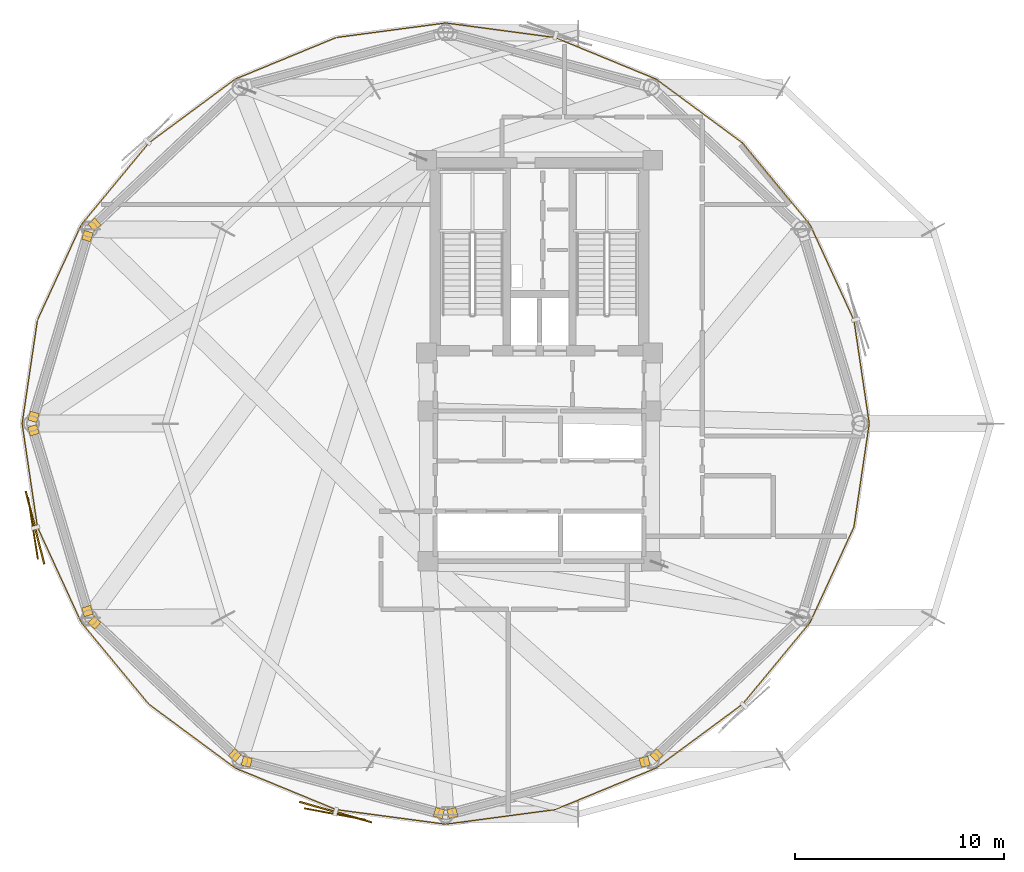
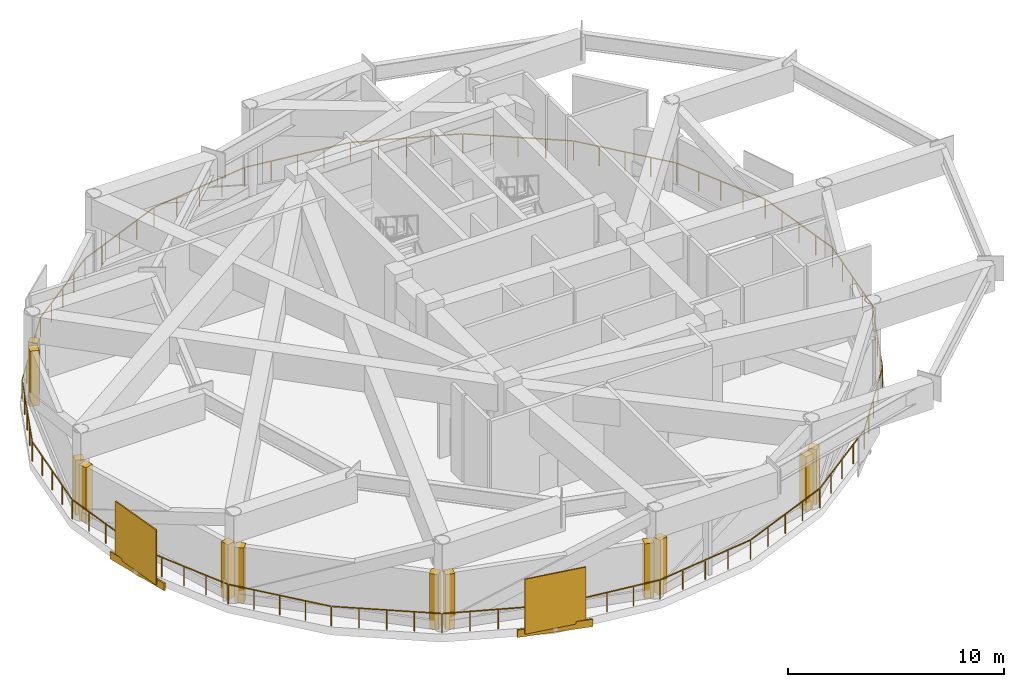
# One storey, part 6 of 8: 14 coverings, 2 shading devices, 1 railing.
"""IFC4 building model written with IfcOpenShell, lengths in metres."""

from ifc_helpers import new_model, si_unit, direction, frame, origin, origin_2d, place, context, subcontext, project, spatial, rectangle, extrude, source, transform, mapped, material, layer, layer_set, type_object, type_shapes, element, save


model = new_model("IFC4")

# Units and contexts
model_context = context("Model", 3, precision=1e-05, world=origin(), true_north=direction((0.0, 1.0)))
body_context = subcontext(model_context, "Body", "Model", "MODEL_VIEW")
ifc_project = project(units=[si_unit("LENGTHUNIT", "METRE"), si_unit("AREAUNIT", "SQUARE_METRE"), si_unit("VOLUMEUNIT", "CUBIC_METRE"), si_unit("PLANEANGLEUNIT", "RADIAN"), si_unit("MASSUNIT", "GRAM", prefix="KILO")], contexts=[model_context])

# Site, building, storey
site_placement = place(None, origin())
site = spatial("IfcSite", under=ifc_project, at=site_placement, CompositionType="ELEMENT")
building_placement = place(site_placement, origin())
building = spatial("IfcBuilding", under=site, at=building_placement, Name="Varnakorn Sky Granary", CompositionType="ELEMENT")
storey_placement = place(building_placement, frame((0.0, 0.0, 173.39990234375)))
storey = spatial("IfcBuildingStorey", under=building, at=storey_placement, Name="L43", CompositionType="ELEMENT", Elevation=173.39990234375)

# Railing
ifc_material = material(Name="Anodised Bronze Aluminium Alloy 6063-T6", Category="aluminium")
railing_type = type_object("IfcRailingType", Name="RL-BAL-1120", PredefinedType="BALUSTRADE", material=ifc_material)
railing_placement = place(storey_placement, frame((18.798828125, 0.0, 0.0)))
element("IfcRailing", 1, at=railing_placement, inside=storey, type_object=railing_type, Name="Perimeter Slab-Edge Safety Guard L43", PredefinedType="BALUSTRADE", context=body_context, shape_type="SweptSolid", body=[
    extrude(rectangle(XDim=0.048095703125, YDim=0.048095703125, at=origin_2d()), frame((-0.004150390625, -0.027587890625, 1.09619140625), z_axis=(-0.146564559182, -0.98920110695, 0.0), x_axis=(0.98920110695, -0.146564559182, 0.0)), (0.0, 0.0, 1.0), 4.952880859375),
    extrude(rectangle(XDim=0.048095703125, YDim=0.048095703125, at=origin_2d()), frame((-0.745849609375, -4.980224609375, 1.09619140625), z_axis=(-0.417260925919, -0.908786729492, 0.0), x_axis=(0.908786729492, -0.417260925919, 0.0)), (0.0, 0.0, 1.0), 4.97705078125),
    extrude(rectangle(XDim=0.048095703125, YDim=0.048095703125, at=origin_2d()), frame((-2.85205078125, -9.55029296875, 1.09619140625), z_axis=(-0.636823090617, -0.771009955355, 0.0), x_axis=(0.771009955355, -0.636823090617, 0.0)), (0.0, 0.0, 1.0), 5.025634765625),
    extrude(rectangle(XDim=0.048095703125, YDim=0.048095703125, at=origin_2d()), frame((-6.0927734375, -13.46337890625, 1.09619140625), z_axis=(-0.804299175353, -0.594224567421, 0.0), x_axis=(0.594224567421, -0.804299175353, 0.0)), (0.0, 0.0, 1.0), 5.09814453125),
    extrude(rectangle(XDim=0.048095703125, YDim=0.048095703125, at=origin_2d()), frame((-10.24169921875, -16.520263671875, 1.09619140625), z_axis=(-0.924767902063, -0.380531637731, 0.0), x_axis=(0.380531637731, -0.924767902063, 0.0)), (0.0, 0.0, 1.0), 5.1787109375),
    extrude(rectangle(XDim=0.048095703125, YDim=0.048095703125, at=origin_2d()), frame((-15.08447265625, -18.505126953125, 1.09619140625), z_axis=(-0.991257711405, -0.13193994687, 0.0), x_axis=(0.13193994687, -0.991257711405, 0.0)), (0.0, 0.0, 1.0), 5.232421875),
    extrude(rectangle(XDim=0.048095703125, YDim=0.048095703125, at=origin_2d()), frame((-20.32666015625, -19.195556640625, 1.09619140625), z_axis=(-0.991257711405, 0.13193994687, 0.0), x_axis=(-0.13193994687, -0.991257711405, 0.0)), (0.0, 0.0, 1.0), 5.232421875),
    extrude(rectangle(XDim=0.048095703125, YDim=0.048095703125, at=origin_2d()), frame((-25.56689453125, -18.49072265625, 1.09619140625), z_axis=(-0.924767902063, 0.380531637731, 0.0), x_axis=(-0.380531637731, -0.924767902063, 0.0)), (0.0, 0.0, 1.0), 5.1787109375),
    extrude(rectangle(XDim=0.048095703125, YDim=0.048095703125, at=origin_2d()), frame((-30.404296875, -16.492919921875, 1.09619140625), z_axis=(-0.804299175353, 0.594224567421, 0.0), x_axis=(-0.594224567421, -0.804299175353, 0.0)), (0.0, 0.0, 1.0), 5.09814453125),
    extrude(rectangle(XDim=0.048095703125, YDim=0.048095703125, at=origin_2d()), frame((-34.545166015625, -13.42529296875, 1.09619140625), z_axis=(-0.636823090617, 0.771009955355, 0.0), x_axis=(-0.771009955355, -0.636823090617, 0.0)), (0.0, 0.0, 1.0), 5.025634765625),
    extrude(rectangle(XDim=0.048095703125, YDim=0.048095703125, at=origin_2d()), frame((-37.775146484375, -9.50341796875, 1.09619140625), z_axis=(-0.417260925919, 0.908786729492, 0.0), x_axis=(-0.908786729492, -0.417260925919, 0.0)), (0.0, 0.0, 1.0), 4.97705078125),
    extrude(rectangle(XDim=0.048095703125, YDim=0.048095703125, at=origin_2d()), frame((-39.86767578125, -4.92724609375, 1.09619140625), z_axis=(-0.146564559182, 0.98920110695, 0.0), x_axis=(-0.98920110695, -0.146564559182, 0.0)), (0.0, 0.0, 1.0), 4.952880859375),
    extrude(rectangle(XDim=0.048095703125, YDim=0.048095703125, at=origin_2d()), frame((-40.593505859375, 0.027587890625, 1.09619140625), z_axis=(0.146564559182, 0.98920110695, 0.0), x_axis=(-0.98920110695, 0.146564559182, 0.0)), (0.0, 0.0, 1.0), 4.952880859375),
    extrude(rectangle(XDim=0.048095703125, YDim=0.048095703125, at=origin_2d()), frame((-39.851806640625, 4.980224609375, 1.09619140625), z_axis=(0.417260925919, 0.908786729492, 0.0), x_axis=(-0.908786729492, 0.417260925919, 0.0)), (0.0, 0.0, 1.0), 4.97705078125),
    extrude(rectangle(XDim=0.048095703125, YDim=0.048095703125, at=origin_2d()), frame((-37.74560546875, 9.55029296875, 1.09619140625), z_axis=(0.636823090617, 0.771009955355, 0.0), x_axis=(-0.771009955355, 0.636823090617, 0.0)), (0.0, 0.0, 1.0), 5.025634765625),
    extrude(rectangle(XDim=0.048095703125, YDim=0.048095703125, at=origin_2d()), frame((-34.5048828125, 13.46337890625, 1.09619140625), z_axis=(0.804299175353, 0.594224567421, 0.0), x_axis=(-0.594224567421, 0.804299175353, 0.0)), (0.0, 0.0, 1.0), 5.09814453125),
    extrude(rectangle(XDim=0.048095703125, YDim=0.048095703125, at=origin_2d()), frame((-30.35595703125, 16.520263671875, 1.09619140625), z_axis=(0.924767902063, 0.380531637731, 0.0), x_axis=(-0.380531637731, 0.924767902063, 0.0)), (0.0, 0.0, 1.0), 5.1787109375),
    extrude(rectangle(XDim=0.048095703125, YDim=0.048095703125, at=origin_2d()), frame((-25.51318359375, 18.505126953125, 1.09619140625), z_axis=(0.991257711405, 0.13193994687, 0.0), x_axis=(-0.13193994687, 0.991257711405, 0.0)), (0.0, 0.0, 1.0), 5.232421875),
    extrude(rectangle(XDim=0.048095703125, YDim=0.048095703125, at=origin_2d()), frame((-20.27099609375, 19.195556640625, 1.09619140625), z_axis=(0.991257711405, -0.13193994687, 0.0), x_axis=(0.13193994687, 0.991257711405, 0.0)), (0.0, 0.0, 1.0), 5.232421875),
    extrude(rectangle(XDim=0.048095703125, YDim=0.048095703125, at=origin_2d()), frame((-15.03076171875, 18.49072265625, 1.09619140625), z_axis=(0.924767902063, -0.380531637731, 0.0), x_axis=(0.380531637731, 0.924767902063, 0.0)), (0.0, 0.0, 1.0), 5.1787109375),
    extrude(rectangle(XDim=0.048095703125, YDim=0.048095703125, at=origin_2d()), frame((-10.193359375, 16.492919921875, 1.09619140625), z_axis=(0.804299175353, -0.594224567421, 0.0), x_axis=(0.594224567421, 0.804299175353, 0.0)), (0.0, 0.0, 1.0), 5.09814453125),
    extrude(rectangle(XDim=0.048095703125, YDim=0.048095703125, at=origin_2d()), frame((-6.052490234375, 13.42529296875, 1.09619140625), z_axis=(0.636823090617, -0.771009955355, 0.0), x_axis=(0.771009955355, 0.636823090617, 0.0)), (0.0, 0.0, 1.0), 5.025634765625),
    extrude(rectangle(XDim=0.048095703125, YDim=0.048095703125, at=origin_2d()), frame((-2.822509765625, 9.50341796875, 1.09619140625), z_axis=(0.417260925919, -0.908786729492, 0.0), x_axis=(0.908786729492, 0.417260925919, 0.0)), (0.0, 0.0, 1.0), 4.97705078125),
    extrude(rectangle(XDim=0.048095703125, YDim=0.048095703125, at=origin_2d()), frame((-0.72998046875, 4.92724609375, 1.09619140625), z_axis=(0.146564559182, -0.98920110695, 0.0), x_axis=(0.98920110695, 0.146564559182, 0.0)), (0.0, 0.0, 1.0), 4.952880859375),
    extrude(rectangle(XDim=0.0419921875, YDim=0.0419921875, at=origin_2d()), origin(), (0.0, 0.0, 1.0), 1.068115234375),
    extrude(rectangle(XDim=0.0419921875, YDim=0.0419921875, at=origin_2d()), frame((-0.18359375, -1.23876953125, 0.0)), (0.0, 0.0, 1.0), 1.068115234375),
    extrude(rectangle(XDim=0.0419921875, YDim=0.0419921875, at=origin_2d()), frame((-0.3671875, -2.4775390625, 0.0)), (0.0, 0.0, 1.0), 1.068115234375),
    extrude(rectangle(XDim=0.0419921875, YDim=0.0419921875, at=origin_2d()), frame((-0.550537109375, -3.716064453125, 0.0)), (0.0, 0.0, 1.0), 1.068115234375),
    extrude(rectangle(XDim=0.0419921875, YDim=0.0419921875, at=origin_2d()), frame((-0.734130859375, -4.954833984375, 0.0)), (0.0, 0.0, 1.0), 1.068115234375),
    extrude(rectangle(XDim=0.0419921875, YDim=0.0419921875, at=origin_2d()), frame((-1.25927734375, -6.098388671875, 0.0)), (0.0, 0.0, 1.0), 1.068115234375),
    extrude(rectangle(XDim=0.0419921875, YDim=0.0419921875, at=origin_2d()), frame((-1.7841796875, -7.24169921875, 0.0)), (0.0, 0.0, 1.0), 1.068115234375),
    extrude(rectangle(XDim=0.0419921875, YDim=0.0419921875, at=origin_2d()), frame((-2.30908203125, -8.38525390625, 0.0)), (0.0, 0.0, 1.0), 1.068115234375),
    extrude(rectangle(XDim=0.0419921875, YDim=0.0419921875, at=origin_2d()), frame((-2.834228515625, -9.52880859375, 0.0)), (0.0, 0.0, 1.0), 1.068115234375),
    extrude(rectangle(XDim=0.0419921875, YDim=0.0419921875, at=origin_2d()), frame((-3.643310546875, -10.50830078125, 0.0)), (0.0, 0.0, 1.0), 1.068115234375),
    extrude(rectangle(XDim=0.0419921875, YDim=0.0419921875, at=origin_2d()), frame((-4.4521484375, -11.48779296875, 0.0)), (0.0, 0.0, 1.0), 1.068115234375),
    extrude(rectangle(XDim=0.0419921875, YDim=0.0419921875, at=origin_2d()), frame((-5.26123046875, -12.46728515625, 0.0)), (0.0, 0.0, 1.0), 1.068115234375),
    extrude(rectangle(XDim=0.0419921875, YDim=0.0419921875, at=origin_2d()), frame((-6.0703125, -13.44677734375, 0.0)), (0.0, 0.0, 1.0), 1.068115234375),
    extrude(rectangle(XDim=0.0419921875, YDim=0.0419921875, at=origin_2d()), frame((-7.106689453125, -14.21240234375, 0.0)), (0.0, 0.0, 1.0), 1.068115234375),
    extrude(rectangle(XDim=0.0419921875, YDim=0.0419921875, at=origin_2d()), frame((-8.14306640625, -14.97802734375, 0.0)), (0.0, 0.0, 1.0), 1.068115234375),
    extrude(rectangle(XDim=0.0419921875, YDim=0.0419921875, at=origin_2d()), frame((-9.179443359375, -15.743896484375, 0.0)), (0.0, 0.0, 1.0), 1.068115234375),
    extrude(rectangle(XDim=0.0419921875, YDim=0.0419921875, at=origin_2d()), frame((-10.2158203125, -16.509521484375, 0.0)), (0.0, 0.0, 1.0), 1.068115234375),
    extrude(rectangle(XDim=0.0419921875, YDim=0.0419921875, at=origin_2d()), frame((-11.426025390625, -17.007568359375, 0.0)), (0.0, 0.0, 1.0), 1.068115234375),
    extrude(rectangle(XDim=0.0419921875, YDim=0.0419921875, at=origin_2d()), frame((-12.63623046875, -17.50537109375, 0.0)), (0.0, 0.0, 1.0), 1.068115234375),
    extrude(rectangle(XDim=0.0419921875, YDim=0.0419921875, at=origin_2d()), frame((-13.846435546875, -18.00341796875, 0.0)), (0.0, 0.0, 1.0), 1.068115234375),
    extrude(rectangle(XDim=0.0419921875, YDim=0.0419921875, at=origin_2d()), frame((-15.056640625, -18.50146484375, 0.0)), (0.0, 0.0, 1.0), 1.068115234375),
    extrude(rectangle(XDim=0.0419921875, YDim=0.0419921875, at=origin_2d()), frame((-16.3671875, -18.67578125, 0.0)), (0.0, 0.0, 1.0), 1.068115234375),
    extrude(rectangle(XDim=0.0419921875, YDim=0.0419921875, at=origin_2d()), frame((-17.677734375, -18.850341796875, 0.0)), (0.0, 0.0, 1.0), 1.068115234375),
    extrude(rectangle(XDim=0.0419921875, YDim=0.0419921875, at=origin_2d()), frame((-18.98828125, -19.02490234375, 0.0)), (0.0, 0.0, 1.0), 1.068115234375),
    extrude(rectangle(XDim=0.0419921875, YDim=0.0419921875, at=origin_2d()), frame((-20.298828125, -19.19921875, 0.0)), (0.0, 0.0, 1.0), 1.068115234375),
    extrude(rectangle(XDim=0.0419921875, YDim=0.0419921875, at=origin_2d()), frame((-21.609375, -19.02490234375, 0.0)), (0.0, 0.0, 1.0), 1.068115234375),
    extrude(rectangle(XDim=0.0419921875, YDim=0.0419921875, at=origin_2d()), frame((-22.919921875, -18.850341796875, 0.0)), (0.0, 0.0, 1.0), 1.068115234375),
    extrude(rectangle(XDim=0.0419921875, YDim=0.0419921875, at=origin_2d()), frame((-24.23046875, -18.67578125, 0.0)), (0.0, 0.0, 1.0), 1.068115234375),
    extrude(rectangle(XDim=0.0419921875, YDim=0.0419921875, at=origin_2d()), frame((-25.541015625, -18.50146484375, 0.0)), (0.0, 0.0, 1.0), 1.068115234375),
    extrude(rectangle(XDim=0.0419921875, YDim=0.0419921875, at=origin_2d()), frame((-26.751220703125, -18.00341796875, 0.0)), (0.0, 0.0, 1.0), 1.068115234375),
    extrude(rectangle(XDim=0.0419921875, YDim=0.0419921875, at=origin_2d()), frame((-27.96142578125, -17.50537109375, 0.0)), (0.0, 0.0, 1.0), 1.068115234375),
    extrude(rectangle(XDim=0.0419921875, YDim=0.0419921875, at=origin_2d()), frame((-29.171630859375, -17.007568359375, 0.0)), (0.0, 0.0, 1.0), 1.068115234375),
    extrude(rectangle(XDim=0.0419921875, YDim=0.0419921875, at=origin_2d()), frame((-30.3818359375, -16.509521484375, 0.0)), (0.0, 0.0, 1.0), 1.068115234375),
    extrude(rectangle(XDim=0.0419921875, YDim=0.0419921875, at=origin_2d()), frame((-31.418212890625, -15.743896484375, 0.0)), (0.0, 0.0, 1.0), 1.068115234375),
    extrude(rectangle(XDim=0.0419921875, YDim=0.0419921875, at=origin_2d()), frame((-32.45458984375, -14.97802734375, 0.0)), (0.0, 0.0, 1.0), 1.068115234375),
    extrude(rectangle(XDim=0.0419921875, YDim=0.0419921875, at=origin_2d()), frame((-33.490966796875, -14.21240234375, 0.0)), (0.0, 0.0, 1.0), 1.068115234375),
    extrude(rectangle(XDim=0.0419921875, YDim=0.0419921875, at=origin_2d()), frame((-34.52734375, -13.44677734375, 0.0)), (0.0, 0.0, 1.0), 1.068115234375),
    extrude(rectangle(XDim=0.0419921875, YDim=0.0419921875, at=origin_2d()), frame((-35.33642578125, -12.46728515625, 0.0)), (0.0, 0.0, 1.0), 1.068115234375),
    extrude(rectangle(XDim=0.0419921875, YDim=0.0419921875, at=origin_2d()), frame((-36.1455078125, -11.48779296875, 0.0)), (0.0, 0.0, 1.0), 1.068115234375),
    extrude(rectangle(XDim=0.0419921875, YDim=0.0419921875, at=origin_2d()), frame((-36.954345703125, -10.50830078125, 0.0)), (0.0, 0.0, 1.0), 1.068115234375),
    extrude(rectangle(XDim=0.0419921875, YDim=0.0419921875, at=origin_2d()), frame((-37.763427734375, -9.52880859375, 0.0)), (0.0, 0.0, 1.0), 1.068115234375),
    extrude(rectangle(XDim=0.0419921875, YDim=0.0419921875, at=origin_2d()), frame((-38.28857421875, -8.38525390625, 0.0)), (0.0, 0.0, 1.0), 1.068115234375),
    extrude(rectangle(XDim=0.0419921875, YDim=0.0419921875, at=origin_2d()), frame((-38.8134765625, -7.24169921875, 0.0)), (0.0, 0.0, 1.0), 1.068115234375),
    extrude(rectangle(XDim=0.0419921875, YDim=0.0419921875, at=origin_2d()), frame((-39.33837890625, -6.098388671875, 0.0)), (0.0, 0.0, 1.0), 1.068115234375),
    extrude(rectangle(XDim=0.0419921875, YDim=0.0419921875, at=origin_2d()), frame((-39.863525390625, -4.954833984375, 0.0)), (0.0, 0.0, 1.0), 1.068115234375),
    extrude(rectangle(XDim=0.0419921875, YDim=0.0419921875, at=origin_2d()), frame((-40.047119140625, -3.716064453125, 0.0)), (0.0, 0.0, 1.0), 1.068115234375),
    extrude(rectangle(XDim=0.0419921875, YDim=0.0419921875, at=origin_2d()), frame((-40.23046875, -2.4775390625, 0.0)), (0.0, 0.0, 1.0), 1.068115234375),
    extrude(rectangle(XDim=0.0419921875, YDim=0.0419921875, at=origin_2d()), frame((-40.4140625, -1.23876953125, 0.0)), (0.0, 0.0, 1.0), 1.068115234375),
    extrude(rectangle(XDim=0.0419921875, YDim=0.0419921875, at=origin_2d()), frame((-40.59765625, 0.0, 0.0)), (0.0, 0.0, 1.0), 1.068115234375),
    extrude(rectangle(XDim=0.0419921875, YDim=0.0419921875, at=origin_2d()), frame((-40.4140625, 1.23876953125, 0.0)), (0.0, 0.0, 1.0), 1.068115234375),
    extrude(rectangle(XDim=0.0419921875, YDim=0.0419921875, at=origin_2d()), frame((-40.23046875, 2.4775390625, 0.0)), (0.0, 0.0, 1.0), 1.068115234375),
    extrude(rectangle(XDim=0.0419921875, YDim=0.0419921875, at=origin_2d()), frame((-40.047119140625, 3.716064453125, 0.0)), (0.0, 0.0, 1.0), 1.068115234375),
    extrude(rectangle(XDim=0.0419921875, YDim=0.0419921875, at=origin_2d()), frame((-39.863525390625, 4.954833984375, 0.0)), (0.0, 0.0, 1.0), 1.068115234375),
    extrude(rectangle(XDim=0.0419921875, YDim=0.0419921875, at=origin_2d()), frame((-39.33837890625, 6.098388671875, 0.0)), (0.0, 0.0, 1.0), 1.068115234375),
    extrude(rectangle(XDim=0.0419921875, YDim=0.0419921875, at=origin_2d()), frame((-38.8134765625, 7.24169921875, 0.0)), (0.0, 0.0, 1.0), 1.068115234375),
    extrude(rectangle(XDim=0.0419921875, YDim=0.0419921875, at=origin_2d()), frame((-38.28857421875, 8.38525390625, 0.0)), (0.0, 0.0, 1.0), 1.068115234375),
    extrude(rectangle(XDim=0.0419921875, YDim=0.0419921875, at=origin_2d()), frame((-37.763427734375, 9.52880859375, 0.0)), (0.0, 0.0, 1.0), 1.068115234375),
    extrude(rectangle(XDim=0.0419921875, YDim=0.0419921875, at=origin_2d()), frame((-36.954345703125, 10.50830078125, 0.0)), (0.0, 0.0, 1.0), 1.068115234375),
    extrude(rectangle(XDim=0.0419921875, YDim=0.0419921875, at=origin_2d()), frame((-36.1455078125, 11.48779296875, 0.0)), (0.0, 0.0, 1.0), 1.068115234375),
    extrude(rectangle(XDim=0.0419921875, YDim=0.0419921875, at=origin_2d()), frame((-35.33642578125, 12.46728515625, 0.0)), (0.0, 0.0, 1.0), 1.068115234375),
    extrude(rectangle(XDim=0.0419921875, YDim=0.0419921875, at=origin_2d()), frame((-34.52734375, 13.44677734375, 0.0)), (0.0, 0.0, 1.0), 1.068115234375),
    extrude(rectangle(XDim=0.0419921875, YDim=0.0419921875, at=origin_2d()), frame((-33.490966796875, 14.21240234375, 0.0)), (0.0, 0.0, 1.0), 1.068115234375),
    extrude(rectangle(XDim=0.0419921875, YDim=0.0419921875, at=origin_2d()), frame((-32.45458984375, 14.97802734375, 0.0)), (0.0, 0.0, 1.0), 1.068115234375),
    extrude(rectangle(XDim=0.0419921875, YDim=0.0419921875, at=origin_2d()), frame((-31.418212890625, 15.743896484375, 0.0)), (0.0, 0.0, 1.0), 1.068115234375),
    extrude(rectangle(XDim=0.0419921875, YDim=0.0419921875, at=origin_2d()), frame((-30.3818359375, 16.509521484375, 0.0)), (0.0, 0.0, 1.0), 1.068115234375),
    extrude(rectangle(XDim=0.0419921875, YDim=0.0419921875, at=origin_2d()), frame((-29.171630859375, 17.007568359375, 0.0)), (0.0, 0.0, 1.0), 1.068115234375),
    extrude(rectangle(XDim=0.0419921875, YDim=0.0419921875, at=origin_2d()), frame((-27.96142578125, 17.50537109375, 0.0)), (0.0, 0.0, 1.0), 1.068115234375),
    extrude(rectangle(XDim=0.0419921875, YDim=0.0419921875, at=origin_2d()), frame((-26.751220703125, 18.00341796875, 0.0)), (0.0, 0.0, 1.0), 1.068115234375),
    extrude(rectangle(XDim=0.0419921875, YDim=0.0419921875, at=origin_2d()), frame((-25.541015625, 18.50146484375, 0.0)), (0.0, 0.0, 1.0), 1.068115234375),
    extrude(rectangle(XDim=0.0419921875, YDim=0.0419921875, at=origin_2d()), frame((-24.23046875, 18.67578125, 0.0)), (0.0, 0.0, 1.0), 1.068115234375),
    extrude(rectangle(XDim=0.0419921875, YDim=0.0419921875, at=origin_2d()), frame((-22.919921875, 18.850341796875, 0.0)), (0.0, 0.0, 1.0), 1.068115234375),
    extrude(rectangle(XDim=0.0419921875, YDim=0.0419921875, at=origin_2d()), frame((-21.609375, 19.02490234375, 0.0)), (0.0, 0.0, 1.0), 1.068115234375),
    extrude(rectangle(XDim=0.0419921875, YDim=0.0419921875, at=origin_2d()), frame((-20.298828125, 19.19921875, 0.0)), (0.0, 0.0, 1.0), 1.068115234375),
    extrude(rectangle(XDim=0.0419921875, YDim=0.0419921875, at=origin_2d()), frame((-18.98828125, 19.02490234375, 0.0)), (0.0, 0.0, 1.0), 1.068115234375),
    extrude(rectangle(XDim=0.0419921875, YDim=0.0419921875, at=origin_2d()), frame((-17.677734375, 18.850341796875, 0.0)), (0.0, 0.0, 1.0), 1.068115234375),
    extrude(rectangle(XDim=0.0419921875, YDim=0.0419921875, at=origin_2d()), frame((-16.3671875, 18.67578125, 0.0)), (0.0, 0.0, 1.0), 1.068115234375),
    extrude(rectangle(XDim=0.0419921875, YDim=0.0419921875, at=origin_2d()), frame((-15.056640625, 18.50146484375, 0.0)), (0.0, 0.0, 1.0), 1.068115234375),
    extrude(rectangle(XDim=0.0419921875, YDim=0.0419921875, at=origin_2d()), frame((-13.846435546875, 18.00341796875, 0.0)), (0.0, 0.0, 1.0), 1.068115234375),
    extrude(rectangle(XDim=0.0419921875, YDim=0.0419921875, at=origin_2d()), frame((-12.63623046875, 17.50537109375, 0.0)), (0.0, 0.0, 1.0), 1.068115234375),
    extrude(rectangle(XDim=0.0419921875, YDim=0.0419921875, at=origin_2d()), frame((-11.426025390625, 17.007568359375, 0.0)), (0.0, 0.0, 1.0), 1.068115234375),
    extrude(rectangle(XDim=0.0419921875, YDim=0.0419921875, at=origin_2d()), frame((-10.2158203125, 16.509521484375, 0.0)), (0.0, 0.0, 1.0), 1.068115234375),
    extrude(rectangle(XDim=0.0419921875, YDim=0.0419921875, at=origin_2d()), frame((-9.179443359375, 15.743896484375, 0.0)), (0.0, 0.0, 1.0), 1.068115234375),
    extrude(rectangle(XDim=0.0419921875, YDim=0.0419921875, at=origin_2d()), frame((-8.14306640625, 14.97802734375, 0.0)), (0.0, 0.0, 1.0), 1.068115234375),
    extrude(rectangle(XDim=0.0419921875, YDim=0.0419921875, at=origin_2d()), frame((-7.106689453125, 14.21240234375, 0.0)), (0.0, 0.0, 1.0), 1.068115234375),
    extrude(rectangle(XDim=0.0419921875, YDim=0.0419921875, at=origin_2d()), frame((-6.0703125, 13.44677734375, 0.0)), (0.0, 0.0, 1.0), 1.068115234375),
    extrude(rectangle(XDim=0.0419921875, YDim=0.0419921875, at=origin_2d()), frame((-5.26123046875, 12.46728515625, 0.0)), (0.0, 0.0, 1.0), 1.068115234375),
    extrude(rectangle(XDim=0.0419921875, YDim=0.0419921875, at=origin_2d()), frame((-4.4521484375, 11.48779296875, 0.0)), (0.0, 0.0, 1.0), 1.068115234375),
    extrude(rectangle(XDim=0.0419921875, YDim=0.0419921875, at=origin_2d()), frame((-3.643310546875, 10.50830078125, 0.0)), (0.0, 0.0, 1.0), 1.068115234375),
    extrude(rectangle(XDim=0.0419921875, YDim=0.0419921875, at=origin_2d()), frame((-2.834228515625, 9.52880859375, 0.0)), (0.0, 0.0, 1.0), 1.068115234375),
    extrude(rectangle(XDim=0.0419921875, YDim=0.0419921875, at=origin_2d()), frame((-2.30908203125, 8.38525390625, 0.0)), (0.0, 0.0, 1.0), 1.068115234375),
    extrude(rectangle(XDim=0.0419921875, YDim=0.0419921875, at=origin_2d()), frame((-1.7841796875, 7.24169921875, 0.0)), (0.0, 0.0, 1.0), 1.068115234375),
    extrude(rectangle(XDim=0.0419921875, YDim=0.0419921875, at=origin_2d()), frame((-1.25927734375, 6.098388671875, 0.0)), (0.0, 0.0, 1.0), 1.068115234375),
    extrude(rectangle(XDim=0.0419921875, YDim=0.0419921875, at=origin_2d()), frame((-0.734130859375, 4.954833984375, 0.0)), (0.0, 0.0, 1.0), 1.068115234375),
    extrude(rectangle(XDim=0.0419921875, YDim=0.0419921875, at=origin_2d()), frame((-0.550537109375, 3.716064453125, 0.0)), (0.0, 0.0, 1.0), 1.068115234375),
    extrude(rectangle(XDim=0.0419921875, YDim=0.0419921875, at=origin_2d()), frame((-0.3671875, 2.4775390625, 0.0)), (0.0, 0.0, 1.0), 1.068115234375),
    extrude(rectangle(XDim=0.0419921875, YDim=0.0419921875, at=origin_2d()), frame((-0.18359375, 1.23876953125, 0.0)), (0.0, 0.0, 1.0), 1.068115234375),
])

# Coverings
ifc_layer = layer(ifc_material, 0.050048828125, Name="Anodised Bronze Aluminium Alloy 6063-T6")
ifc_layer_set = layer_set([ifc_layer], Name="Anodised Bronze Aluminium Alloy 6063-T6")
covering_type = type_object("IfcCoveringType", Name="CV-CLAD-50", PredefinedType="CLADDING", material=ifc_layer_set)
shared_shape_1 = source(origin(), body_context, "Body", "SweptSolid", [
    extrude(rectangle(XDim=3.60009765625, YDim=0.080078125, at=origin_2d()), origin(), (0.0, 0.0, 1.0), 0.419921875),
])
for number, where, z_axis, x_axis, name in (
    (2, (-21.18115234375, -4.98681640625, -0.329833984375), (0.0, 0.0, 1.0), (0.245620978801, -0.969365944715, 0.0), "Bronze Slab-Edge Spandrel Cladding L43-07"),
    (3, (-6.775390625, -18.61767578125, -0.329833984375), (0.0, 0.0, 1.0), (0.962121947709, -0.272619437563, 0.0), "Bronze Slab-Edge Spandrel Cladding L43-09"),
):
    element("IfcCovering", number, at=place(storey_placement, frame(where, z_axis=z_axis, x_axis=x_axis)), inside=storey, type_object=covering_type, Name=name, PredefinedType="CLADDING", context=body_context, shape_type="MappedRepresentation", body=[
        mapped(shared_shape_1, transform((0.0, 0.0, 0.0), x_axis=(1.0, 0.0, 0.0), y_axis=(0.0, 1.0, 0.0), z_axis=(0.0, 0.0, 1.0), scale=1.0)),
    ])

# Shading devices
shading_device_type = type_object("IfcShadingDeviceType", Name="SH-SCR-02", PredefinedType="USERDEFINED", material=ifc_material)
shared_shape_2 = source(origin(), body_context, "Body", "SweptSolid", [
    extrude(rectangle(XDim=3.0, YDim=0.06494140625, at=origin_2d()), origin(), (0.0, 0.0, 1.0), 3.10009765625),
])
type_shapes(shading_device_type, [shared_shape_2])
for number, where, z_axis, x_axis, name in (
    (4, (-21.278076171875, -5.011474609375, -0.0400390625), (0.0, 0.0, 1.0), (0.155892027987, -0.987774101508, 0.0), "Perforated Bronze Solar Screen Panel SCREEN L43-07"),
    (5, (-6.802490234375, -18.7138671875, -0.0400390625), (0.0, 0.0, 1.0), (0.983030896272, -0.183440063711, 0.0), "Perforated Bronze Solar Screen Panel SCREEN L43-09"),
):
    element("IfcShadingDevice", number, at=place(storey_placement, frame(where, z_axis=z_axis, x_axis=x_axis)), inside=storey, type_object=shading_device_type, Name=name, ObjectType="SCREEN", PredefinedType="USERDEFINED", context=body_context, shape_type="MappedRepresentation", body=[
        mapped(shared_shape_2, transform((0.0, 0.0, 0.0), x_axis=(1.0, 0.0, 0.0), y_axis=(0.0, 1.0, 0.0), z_axis=(0.0, 0.0, 1.0), scale=1.0)),
    ])

# Coverings
shared_shape_3 = source(origin(), body_context, "Body", "SweptSolid", [
    extrude(rectangle(XDim=0.43994140625, YDim=0.43994140625, at=origin_2d()), origin(), (0.0, 0.0, 1.0), 3.1201171875),
])
type_shapes(covering_type, [shared_shape_1, shared_shape_3])
for number, where, z_axis, x_axis, name in (
    (6, (-18.329345703125, 9.5380859375, -0.02001953125), (0.0, 0.0, 1.0), (0.727054171443, 0.686580098596, 0.0), "Bronze Corner Pilaster Closure L43-P05-A"),
    (7, (-21.25390625, 0.322021484375, -0.02001953125), (0.0, 0.0, 1.0), (0.285855621895, 0.958272697843, 0.0), "Bronze Corner Pilaster Closure L43-P06-A"),
    (8, (-18.669677734375, 8.985595703125, -0.02001953125), (0.0, 0.0, 1.0), (0.285855621895, 0.958272697843, 0.0), "Bronze Corner Pilaster Closure L43-P06-B"),
    (9, (-18.669677734375, -8.985595703125, -0.02001953125), (0.0, 0.0, 1.0), (-0.285855621895, 0.958272697843, 0.0), "Bronze Corner Pilaster Closure L43-P07-A"),
    (10, (-21.25390625, -0.322021484375, -0.02001953125), (0.0, 0.0, 1.0), (-0.285855621895, 0.958272697843, 0.0), "Bronze Corner Pilaster Closure L43-P07-B"),
    (11, (-11.601806640625, -15.890380859375, -0.02001953125), (0.0, 0.0, 1.0), (-0.727054171443, 0.686580098596, 0.0), "Bronze Corner Pilaster Closure L43-P08-A"),
    (12, (-18.329345703125, -9.5380859375, -0.02001953125), (0.0, 0.0, 1.0), (-0.727054171443, 0.686580098596, 0.0), "Bronze Corner Pilaster Closure L43-P08-B"),
    (13, (-1.82470703125, -18.663330078125, -0.02001953125), (0.0, 0.0, 1.0), (-0.966241312443, 0.257638751216, 0.0), "Bronze Corner Pilaster Closure L43-P09-A"),
    (14, (-11.03271484375, -16.207763671875, -0.02001953125), (0.0, 0.0, 1.0), (-0.966241312443, 0.257638751216, 0.0), "Bronze Corner Pilaster Closure L43-P09-B"),
    (15, (8.03271484375, -16.207763671875, -0.02001953125), (0.0, 0.0, 1.0), (-0.966241312443, -0.257638751216, 0.0), "Bronze Corner Pilaster Closure L43-P10-A"),
    (16, (-1.17529296875, -18.663330078125, -0.02001953125), (0.0, 0.0, 1.0), (-0.966241312443, -0.257638751216, 0.0), "Bronze Corner Pilaster Closure L43-P10-B"),
    (17, (8.601806640625, -15.890380859375, -0.02001953125), (0.0, 0.0, 1.0), (-0.727054171443, -0.686580098596, 0.0), "Bronze Corner Pilaster Closure L43-P11-B"),
):
    element("IfcCovering", number, at=place(storey_placement, frame(where, z_axis=z_axis, x_axis=x_axis)), inside=storey, type_object=covering_type, Name=name, PredefinedType="CLADDING", context=body_context, shape_type="MappedRepresentation", body=[
        mapped(shared_shape_3, transform((0.0, 0.0, 0.0), x_axis=(1.0, 0.0, 0.0), y_axis=(0.0, 1.0, 0.0), z_axis=(0.0, 0.0, 1.0), scale=1.0)),
    ])

save(model, "model.ifc")
